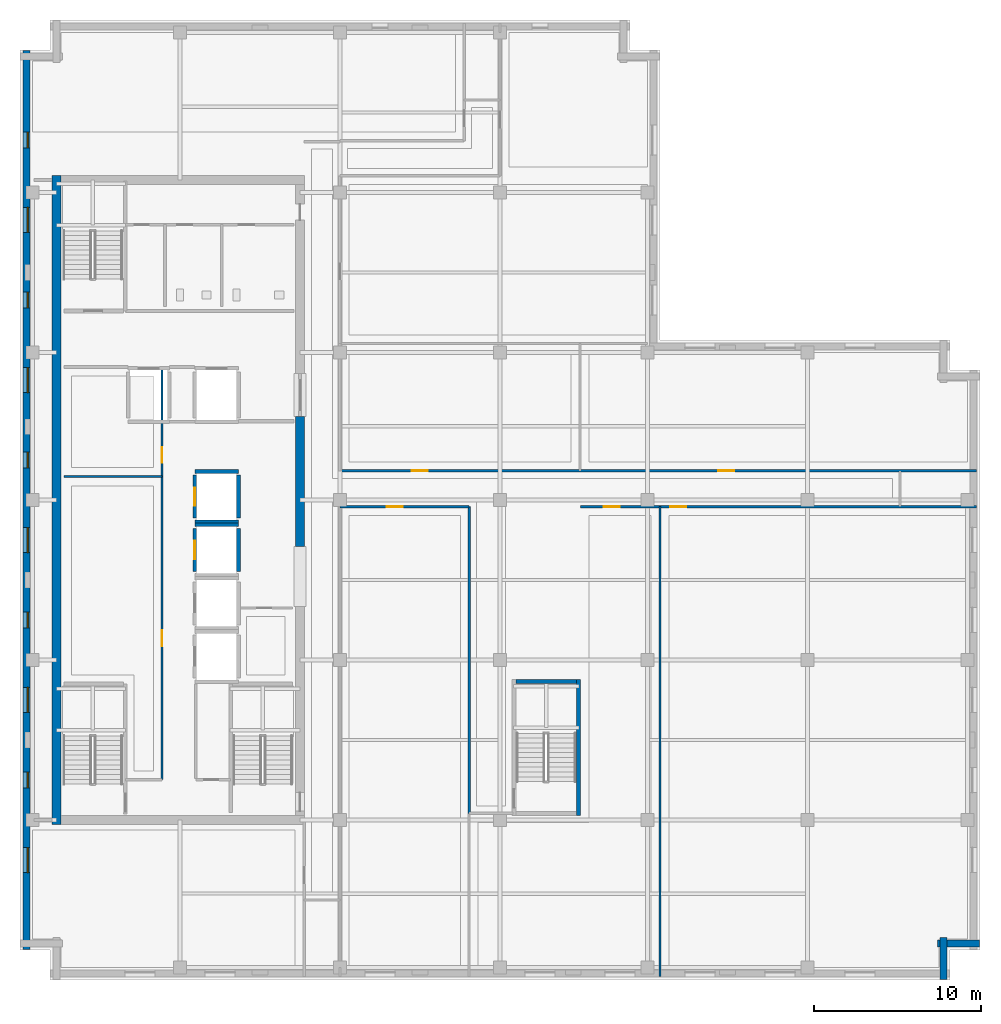
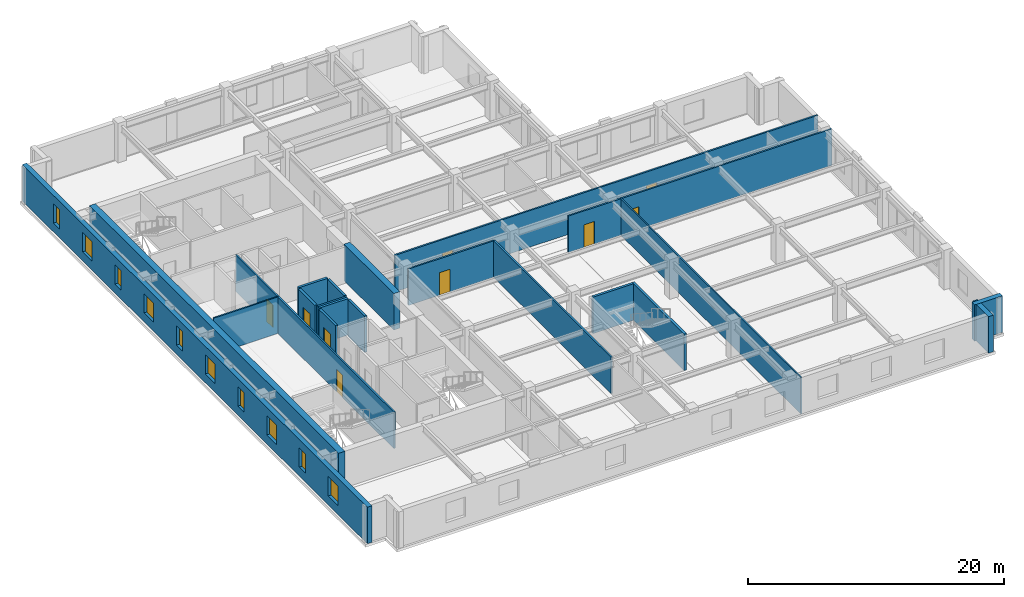
# One storey, part 4 of 11: 21 walls, 10 windows, 9 doors, 19 openings.
"""IFC4 building model written with IfcOpenShell, lengths in metres."""

from ifc_helpers import new_model, si_unit, direction, frame, frame_2d, origin, place, context, subcontext, project, spatial, rectangle, extrude, material, layer, layer_set, type_object, element, fill, save


model = new_model("IFC4")

# Units and contexts
model_context = context("Model", 3, precision=1e-05, world=origin(), true_north=direction((0.0, 1.0)))
body_context = subcontext(model_context, "Body", "Model", "MODEL_VIEW")
ifc_project = project(units=[si_unit("LENGTHUNIT", "METRE"), si_unit("AREAUNIT", "SQUARE_METRE"), si_unit("VOLUMEUNIT", "CUBIC_METRE"), si_unit("PLANEANGLEUNIT", "RADIAN"), si_unit("MASSUNIT", "GRAM", prefix="KILO")], contexts=[model_context])

# Site, building, storey
site_placement = place(None, origin())
site = spatial("IfcSite", under=ifc_project, at=site_placement, CompositionType="ELEMENT")
building_placement = place(site_placement, origin())
building = spatial("IfcBuilding", under=site, at=building_placement, Name="Norrvale University Quadrangle", CompositionType="ELEMENT")
storey_placement = place(building_placement, frame((0.0, 0.0, 252.199951171875)))
storey = spatial("IfcBuildingStorey", under=building, at=storey_placement, Name="L64", CompositionType="ELEMENT", Elevation=252.199951171875)

# Walls
ifc_material_1 = material(Name="Buff Norman Clay Brick Masonry", Category="masonry")
ifc_layer_1 = layer(ifc_material_1, 0.419921875, Name="Buff Norman Clay Brick Masonry")
ifc_layer_set_1 = layer_set([ifc_layer_1], Name="Buff Norman Clay Brick Masonry")
wall_type_1 = type_object("IfcWallType", Name="Wall Buff Brick 420", PredefinedType="SOLIDWALL", material=ifc_layer_set_1)
for number, where, z_axis, x_axis, name in (
    (1, (55.409912109375, 0.0400390625, 0.0), (0.0, 0.0, 1.0), (0.0, 1.0, 0.0), "Exterior Brick Facade Wall L64-02.1"),
    (2, (55.06005859375, 2.18994140625, 0.0), (0.0, 0.0, 1.0), (1.0, 0.0, 0.0), "Exterior Brick Facade Wall L64-03.1"),
):
    element("IfcWall", number, at=place(storey_placement, frame(where, z_axis=z_axis, x_axis=x_axis)), inside=storey, type_object=wall_type_1, Name=name, PredefinedType="SOLIDWALL", context=body_context, shape_type="SweptSolid", body=[
        extrude(rectangle(XDim=2.5, YDim=0.419921875, at=frame_2d((1.25, 0.0))), origin(), (0.0, 0.0, 1.0), 3.47998046875),
    ])

# Wall, openings, windows
wall_1_placement = place(storey_placement, frame((0.389892578125, 55.760009765625, 0.0), z_axis=(0.0, 0.0, 1.0), x_axis=(0.0, -1.0, 0.0)))
wall_1 = element("IfcWall", 3, at=wall_1_placement, inside=storey, type_object=wall_type_1, Name="Exterior Brick Facade Wall L64-14.1", PredefinedType="SOLIDWALL", context=body_context, shape_type="SweptSolid", body=[
    extrude(rectangle(XDim=53.919921875, YDim=0.419921875, at=frame_2d((26.9599609375, 0.0))), origin(), (0.0, 0.0, 1.0), 3.47998046875),
])
opening_1_placement = place(wall_1_placement, frame((4.885009765625, 0.0, 0.85009765625)))
opening_1 = element("IfcOpeningElement", 4, at=opening_1_placement, cuts=wall_1, Name="Opening W04", PredefinedType="OPENING", context=body_context, shape_type="SweptSolid", body=[
    extrude(rectangle(XDim=0.949951171875, YDim=1.85009765625, at=frame_2d((0.47509765625, 0.925048828125))), frame((0.0, 0.221923828125, 0.0), z_axis=(0.0, -1.0, 0.0), x_axis=(1.0, 0.0, 0.0)), (0.0, 0.0, 1.0), 0.44384765625),
])
opening_2_placement = place(wall_1_placement, frame((9.409912109375, 0.0, 0.85009765625)))
opening_2 = element("IfcOpeningElement", 5, at=opening_2_placement, cuts=wall_1, Name="Opening W03", PredefinedType="OPENING", context=body_context, shape_type="SweptSolid", body=[
    extrude(rectangle(XDim=1.5, YDim=1.85009765625, at=frame_2d((0.75, 0.925048828125))), frame((0.0, 0.221923828125, 0.0), z_axis=(0.0, -1.0, 0.0), x_axis=(1.0, 0.0, 0.0)), (0.0, 0.0, 1.0), 0.44384765625),
])
opening_3_placement = place(wall_1_placement, frame((14.485107421875, 0.0, 0.85009765625)))
opening_3 = element("IfcOpeningElement", 6, at=opening_3_placement, cuts=wall_1, Name="Opening W04", PredefinedType="OPENING", context=body_context, shape_type="SweptSolid", body=[
    extrude(rectangle(XDim=0.949951171875, YDim=1.85009765625, at=frame_2d((0.47509765625, 0.925048828125))), frame((0.0, 0.221923828125, 0.0), z_axis=(0.0, -1.0, 0.0), x_axis=(1.0, 0.0, 0.0)), (0.0, 0.0, 1.0), 0.44384765625),
])
opening_4_placement = place(wall_1_placement, frame((19.010009765625, 0.0, 0.85009765625)))
opening_4 = element("IfcOpeningElement", 7, at=opening_4_placement, cuts=wall_1, Name="Opening W03", PredefinedType="OPENING", context=body_context, shape_type="SweptSolid", body=[
    extrude(rectangle(XDim=1.5, YDim=1.85009765625, at=frame_2d((0.75, 0.925048828125))), frame((0.0, 0.221923828125, 0.0), z_axis=(0.0, -1.0, 0.0), x_axis=(1.0, 0.0, 0.0)), (0.0, 0.0, 1.0), 0.44384765625),
])
opening_5_placement = place(wall_1_placement, frame((24.0849609375, 0.0, 0.85009765625)))
opening_5 = element("IfcOpeningElement", 8, at=opening_5_placement, cuts=wall_1, Name="Opening W04", PredefinedType="OPENING", context=body_context, shape_type="SweptSolid", body=[
    extrude(rectangle(XDim=0.949951171875, YDim=1.85009765625, at=frame_2d((0.47509765625, 0.925048828125))), frame((0.0, 0.221923828125, 0.0), z_axis=(0.0, -1.0, 0.0), x_axis=(1.0, 0.0, 0.0)), (0.0, 0.0, 1.0), 0.44384765625),
])
opening_6_placement = place(wall_1_placement, frame((28.610107421875, 0.0, 0.85009765625)))
opening_6 = element("IfcOpeningElement", 9, at=opening_6_placement, cuts=wall_1, Name="Opening W03", PredefinedType="OPENING", context=body_context, shape_type="SweptSolid", body=[
    extrude(rectangle(XDim=1.5, YDim=1.85009765625, at=frame_2d((0.75, 0.925048828125))), frame((0.0, 0.221923828125, 0.0), z_axis=(0.0, -1.0, 0.0), x_axis=(1.0, 0.0, 0.0)), (0.0, 0.0, 1.0), 0.44384765625),
])
opening_7_placement = place(wall_1_placement, frame((33.68505859375, 0.0, 0.85009765625)))
opening_7 = element("IfcOpeningElement", 10, at=opening_7_placement, cuts=wall_1, Name="Opening W04", PredefinedType="OPENING", context=body_context, shape_type="SweptSolid", body=[
    extrude(rectangle(XDim=0.949951171875, YDim=1.85009765625, at=frame_2d((0.47509765625, 0.925048828125))), frame((0.0, 0.221923828125, 0.0), z_axis=(0.0, -1.0, 0.0), x_axis=(1.0, 0.0, 0.0)), (0.0, 0.0, 1.0), 0.44384765625),
])
opening_8_placement = place(wall_1_placement, frame((38.2099609375, 0.0, 0.85009765625)))
opening_8 = element("IfcOpeningElement", 11, at=opening_8_placement, cuts=wall_1, Name="Opening W03", PredefinedType="OPENING", context=body_context, shape_type="SweptSolid", body=[
    extrude(rectangle(XDim=1.5, YDim=1.85009765625, at=frame_2d((0.75, 0.925048828125))), frame((0.0, 0.221923828125, 0.0), z_axis=(0.0, -1.0, 0.0), x_axis=(1.0, 0.0, 0.0)), (0.0, 0.0, 1.0), 0.44384765625),
])
opening_9_placement = place(wall_1_placement, frame((43.284912109375, 0.0, 0.85009765625)))
opening_9 = element("IfcOpeningElement", 12, at=opening_9_placement, cuts=wall_1, Name="Opening W04", PredefinedType="OPENING", context=body_context, shape_type="SweptSolid", body=[
    extrude(rectangle(XDim=0.949951171875, YDim=1.85009765625, at=frame_2d((0.47509765625, 0.925048828125))), frame((0.0, 0.221923828125, 0.0), z_axis=(0.0, -1.0, 0.0), x_axis=(1.0, 0.0, 0.0)), (0.0, 0.0, 1.0), 0.44384765625),
])
opening_10_placement = place(wall_1_placement, frame((47.81005859375, 0.0, 0.85009765625)))
opening_10 = element("IfcOpeningElement", 13, at=opening_10_placement, cuts=wall_1, Name="Opening W03", PredefinedType="OPENING", context=body_context, shape_type="SweptSolid", body=[
    extrude(rectangle(XDim=1.5, YDim=1.85009765625, at=frame_2d((0.75, 0.925048828125))), frame((0.0, 0.221923828125, 0.0), z_axis=(0.0, -1.0, 0.0), x_axis=(1.0, 0.0, 0.0)), (0.0, 0.0, 1.0), 0.44384765625),
])
ifc_material_2 = material(Name="Triple Low-E Argon Glazing", Category="glass")
window_type_1 = type_object("IfcWindowType", Name="Window Narrow Pier 950x2300", PartitioningType="SINGLE_PANEL", PredefinedType="WINDOW", material=ifc_material_2)
window_1_placement = place(opening_1_placement, origin())
window_1 = element("IfcWindow", 14, at=window_1_placement, inside=storey, type_object=window_type_1, Name="Window Narrow Pier 950x2300 WIN-L64-E14-1-01", OverallHeight=1.85009765625, OverallWidth=0.949951171875, PartitioningType="SINGLE_PANEL", PredefinedType="WINDOW", context=body_context, shape_type="SweptSolid", body=[
    extrude(rectangle(XDim=0.949951171875, YDim=1.85009765625, at=frame_2d((0.47509765625, 0.925048828125))), frame((0.0, 0.110107421875, 0.0), z_axis=(0.0, -1.0, 0.0), x_axis=(1.0, 0.0, 0.0)), (0.0, 0.0, 1.0), 0.06005859375),
])
fill(opening_1, window_1)
window_2_placement = place(opening_3_placement, origin())
window_2 = element("IfcWindow", 15, at=window_2_placement, inside=storey, type_object=window_type_1, Name="Window Narrow Pier 950x2300 WIN-L64-E14-1-03", OverallHeight=1.85009765625, OverallWidth=0.949951171875, PartitioningType="SINGLE_PANEL", PredefinedType="WINDOW", context=body_context, shape_type="SweptSolid", body=[
    extrude(rectangle(XDim=0.949951171875, YDim=1.85009765625, at=frame_2d((0.47509765625, 0.925048828125))), frame((0.0, 0.110107421875, 0.0), z_axis=(0.0, -1.0, 0.0), x_axis=(1.0, 0.0, 0.0)), (0.0, 0.0, 1.0), 0.06005859375),
])
fill(opening_3, window_2)
window_3_placement = place(opening_5_placement, origin())
window_3 = element("IfcWindow", 16, at=window_3_placement, inside=storey, type_object=window_type_1, Name="Window Narrow Pier 950x2300 WIN-L64-E14-1-05", OverallHeight=1.85009765625, OverallWidth=0.949951171875, PartitioningType="SINGLE_PANEL", PredefinedType="WINDOW", context=body_context, shape_type="SweptSolid", body=[
    extrude(rectangle(XDim=0.949951171875, YDim=1.85009765625, at=frame_2d((0.47509765625, 0.925048828125))), frame((0.0, 0.110107421875, 0.0), z_axis=(0.0, -1.0, 0.0), x_axis=(1.0, 0.0, 0.0)), (0.0, 0.0, 1.0), 0.06005859375),
])
fill(opening_5, window_3)
window_4_placement = place(opening_7_placement, origin())
window_4 = element("IfcWindow", 17, at=window_4_placement, inside=storey, type_object=window_type_1, Name="Window Narrow Pier 950x2300 WIN-L64-E14-1-07", OverallHeight=1.85009765625, OverallWidth=0.949951171875, PartitioningType="SINGLE_PANEL", PredefinedType="WINDOW", context=body_context, shape_type="SweptSolid", body=[
    extrude(rectangle(XDim=0.949951171875, YDim=1.85009765625, at=frame_2d((0.47509765625, 0.925048828125))), frame((0.0, 0.110107421875, 0.0), z_axis=(0.0, -1.0, 0.0), x_axis=(1.0, 0.0, 0.0)), (0.0, 0.0, 1.0), 0.06005859375),
])
fill(opening_7, window_4)
window_5_placement = place(opening_9_placement, origin())
window_5 = element("IfcWindow", 18, at=window_5_placement, inside=storey, type_object=window_type_1, Name="Window Narrow Pier 950x2300 WIN-L64-E14-1-09", OverallHeight=1.85009765625, OverallWidth=0.949951171875, PartitioningType="SINGLE_PANEL", PredefinedType="WINDOW", context=body_context, shape_type="SweptSolid", body=[
    extrude(rectangle(XDim=0.949951171875, YDim=1.85009765625, at=frame_2d((0.47509765625, 0.925048828125))), frame((0.0, 0.110107421875, 0.0), z_axis=(0.0, -1.0, 0.0), x_axis=(1.0, 0.0, 0.0)), (0.0, 0.0, 1.0), 0.06005859375),
])
fill(opening_9, window_5)
window_type_2 = type_object("IfcWindowType", Name="Window Studio 1500x2300", PartitioningType="DOUBLE_PANEL_VERTICAL", PredefinedType="WINDOW", material=ifc_material_2)
window_6_placement = place(opening_2_placement, origin())
window_6 = element("IfcWindow", 19, at=window_6_placement, inside=storey, type_object=window_type_2, Name="Window Studio 1500x2300 WIN-L64-E14-1-02", OverallHeight=1.85009765625, OverallWidth=1.5, PartitioningType="DOUBLE_PANEL_VERTICAL", PredefinedType="WINDOW", context=body_context, shape_type="SweptSolid", body=[
    extrude(rectangle(XDim=1.5, YDim=1.85009765625, at=frame_2d((0.75, 0.925048828125))), frame((0.0, 0.110107421875, 0.0), z_axis=(0.0, -1.0, 0.0), x_axis=(1.0, 0.0, 0.0)), (0.0, 0.0, 1.0), 0.06005859375),
])
fill(opening_2, window_6)
window_7_placement = place(opening_4_placement, origin())
window_7 = element("IfcWindow", 20, at=window_7_placement, inside=storey, type_object=window_type_2, Name="Window Studio 1500x2300 WIN-L64-E14-1-04", OverallHeight=1.85009765625, OverallWidth=1.5, PartitioningType="DOUBLE_PANEL_VERTICAL", PredefinedType="WINDOW", context=body_context, shape_type="SweptSolid", body=[
    extrude(rectangle(XDim=1.5, YDim=1.85009765625, at=frame_2d((0.75, 0.925048828125))), frame((0.0, 0.110107421875, 0.0), z_axis=(0.0, -1.0, 0.0), x_axis=(1.0, 0.0, 0.0)), (0.0, 0.0, 1.0), 0.06005859375),
])
fill(opening_4, window_7)
window_8_placement = place(opening_6_placement, origin())
window_8 = element("IfcWindow", 21, at=window_8_placement, inside=storey, type_object=window_type_2, Name="Window Studio 1500x2300 WIN-L64-E14-1-06", OverallHeight=1.85009765625, OverallWidth=1.5, PartitioningType="DOUBLE_PANEL_VERTICAL", PredefinedType="WINDOW", context=body_context, shape_type="SweptSolid", body=[
    extrude(rectangle(XDim=1.5, YDim=1.85009765625, at=frame_2d((0.75, 0.925048828125))), frame((0.0, 0.110107421875, 0.0), z_axis=(0.0, -1.0, 0.0), x_axis=(1.0, 0.0, 0.0)), (0.0, 0.0, 1.0), 0.06005859375),
])
fill(opening_6, window_8)
window_9_placement = place(opening_8_placement, origin())
window_9 = element("IfcWindow", 22, at=window_9_placement, inside=storey, type_object=window_type_2, Name="Window Studio 1500x2300 WIN-L64-E14-1-08", OverallHeight=1.85009765625, OverallWidth=1.5, PartitioningType="DOUBLE_PANEL_VERTICAL", PredefinedType="WINDOW", context=body_context, shape_type="SweptSolid", body=[
    extrude(rectangle(XDim=1.5, YDim=1.85009765625, at=frame_2d((0.75, 0.925048828125))), frame((0.0, 0.110107421875, 0.0), z_axis=(0.0, -1.0, 0.0), x_axis=(1.0, 0.0, 0.0)), (0.0, 0.0, 1.0), 0.06005859375),
])
fill(opening_8, window_9)
window_10_placement = place(opening_10_placement, origin())
window_10 = element("IfcWindow", 23, at=window_10_placement, inside=storey, type_object=window_type_2, Name="Window Studio 1500x2300 WIN-L64-E14-1-10", OverallHeight=1.85009765625, OverallWidth=1.5, PartitioningType="DOUBLE_PANEL_VERTICAL", PredefinedType="WINDOW", context=body_context, shape_type="SweptSolid", body=[
    extrude(rectangle(XDim=1.5, YDim=1.85009765625, at=frame_2d((0.75, 0.925048828125))), frame((0.0, 0.110107421875, 0.0), z_axis=(0.0, -1.0, 0.0), x_axis=(1.0, 0.0, 0.0)), (0.0, 0.0, 1.0), 0.06005859375),
])
fill(opening_10, window_10)

# Walls
ifc_material_3 = material(Name="Concrete C60/75", Category="concrete")
ifc_layer_2 = layer(ifc_material_3, 0.550048828125, Name="Concrete C60/75")
ifc_layer_set_2 = layer_set([ifc_layer_2], Name="Concrete C60/75")
wall_type_2 = type_object("IfcWallType", Name="Wall Core 550", PredefinedType="SHEAR", material=ifc_layer_set_2)
wall_2_placement = place(storey_placement, frame((2.199951171875, 9.324951171875, 0.0), z_axis=(0.0, 0.0, 1.0), x_axis=(0.0, 1.0, 0.0)))
element("IfcWall", 24, at=wall_2_placement, inside=storey, type_object=wall_type_2, Name="Tower Core Shear Wall L64-W", PredefinedType="SHEAR", context=body_context, shape_type="SweptSolid", body=[
    extrude(rectangle(XDim=38.949951171875, YDim=0.550048828125, at=frame_2d((19.47509765625, 0.0))), origin(), (0.0, 0.0, 1.0), 3.47998046875),
])
wall_3_placement = place(storey_placement, frame((16.800048828125, 26.0, 0.0), z_axis=(0.0, 0.0, 1.0), x_axis=(0.0, 1.0, 0.0)))
element("IfcWall", 25, at=wall_3_placement, inside=storey, type_object=wall_type_2, Name="Tower Core Shear Wall L64-E2", PredefinedType="SHEAR", context=body_context, shape_type="SweptSolid", body=[
    extrude(rectangle(XDim=7.800048828125, YDim=0.550048828125, at=frame_2d((3.89990234375, 0.0))), origin(), (0.0, 0.0, 1.0), 3.47998046875),
])
ifc_material_4 = material(Name="Standard Academic Gypsum Partition")
ifc_layer_3 = layer(ifc_material_4, 0.125, Name="Standard Academic Gypsum Partition")
ifc_layer_set_3 = layer_set([ifc_layer_3], Name="Standard Academic Gypsum Partition")
wall_type_3 = type_object("IfcWallType", Name="Wall Gypsum Academic 125", PredefinedType="PARTITIONING", material=ifc_layer_set_3)
wall_4_placement = place(storey_placement, frame((2.64990234375, 30.199951171875, 0.0), z_axis=(0.0, 0.0, 1.0), x_axis=(1.0, 0.0, 0.0)))
element("IfcWall", 26, at=wall_4_placement, inside=storey, type_object=wall_type_3, Name="Interior Partition WL-L64-REC-M", PredefinedType="PARTITIONING", context=body_context, shape_type="SweptSolid", body=[
    extrude(rectangle(XDim=5.8701171875, YDim=0.125, at=frame_2d((2.93505859375, 0.0))), origin(), (0.0, 0.0, 1.0), 3.47998046875),
])
wall_5_placement = place(storey_placement, frame((38.39990234375, 0.219970703125, 0.0), z_axis=(0.0, 0.0, 1.0), x_axis=(0.0, 1.0, 0.0)))
element("IfcWall", 27, at=wall_5_placement, inside=storey, type_object=wall_type_3, Name="Interior Partition WL-L64-SEP2", PredefinedType="PARTITIONING", context=body_context, shape_type="SweptSolid", body=[
    extrude(rectangle(XDim=28.179931640625, YDim=0.125, at=frame_2d((14.08984375, 0.0))), origin(), (0.0, 0.0, 1.0), 3.47998046875),
])

# Wall, openings, doors
ifc_material_5 = material(Name="Fire-Rated Gypsum Stud Partition")
ifc_layer_4 = layer(ifc_material_5, 0.14990234375, Name="Fire-Rated Gypsum Stud Partition")
ifc_layer_set_4 = layer_set([ifc_layer_4], Name="Fire-Rated Gypsum Stud Partition")
wall_type_4 = type_object("IfcWallType", Name="Wall Gypsum Corridor 150", PredefinedType="PARTITIONING", material=ifc_layer_set_4)
wall_6_placement = place(storey_placement, frame((8.52001953125, 12.02001953125, 0.0), z_axis=(0.0, 0.0, 1.0), x_axis=(0.0, 1.0, 0.0)))
wall_6 = element("IfcWall", 28, at=wall_6_placement, inside=storey, type_object=wall_type_4, Name="Interior Partition WL-L64-REC-E", PredefinedType="PARTITIONING", context=body_context, shape_type="SweptSolid", body=[
    extrude(rectangle(XDim=24.760009765625, YDim=0.14990234375, at=frame_2d((12.3798828125, 0.0))), origin(), (0.0, 0.0, 1.0), 3.47998046875),
])
opening_11_placement = place(wall_6_placement, frame((8.0, 0.0, 0.0)))
opening_11 = element("IfcOpeningElement", 29, at=opening_11_placement, cuts=wall_6, Name="Opening D07", PredefinedType="OPENING", context=body_context, shape_type="SweptSolid", body=[
    extrude(rectangle(XDim=0.949951171875, YDim=2.14990234375, at=frame_2d((0.47509765625, 1.074951171875))), frame((0.0, 0.0869140625, 0.0), z_axis=(0.0, -1.0, 0.0), x_axis=(1.0, 0.0, 0.0)), (0.0, 0.0, 1.0), 0.173828125),
])
opening_12_placement = place(wall_6_placement, frame((19.0, 0.0, 0.0)))
opening_12 = element("IfcOpeningElement", 30, at=opening_12_placement, cuts=wall_6, Name="Opening D07", PredefinedType="OPENING", context=body_context, shape_type="SweptSolid", body=[
    extrude(rectangle(XDim=0.949951171875, YDim=2.14990234375, at=frame_2d((0.47509765625, 1.074951171875))), frame((0.0, 0.0869140625, 0.0), z_axis=(0.0, -1.0, 0.0), x_axis=(1.0, 0.0, 0.0)), (0.0, 0.0, 1.0), 0.173828125),
])
ifc_material_6 = material(Name="Solid-Core Maple Door", Category="wood")
door_type_1 = type_object("IfcDoorType", Name="Door Office 950x2150", OperationType="NOTDEFINED", PredefinedType="DOOR", material=ifc_material_6)
door_1_placement = place(opening_11_placement, origin())
door_1 = element("IfcDoor", 31, at=door_1_placement, inside=storey, type_object=door_type_1, Name="Door Office 950x2150 DR-L64-REC1", OperationType="SINGLE_SWING_LEFT", OverallHeight=2.14990234375, OverallWidth=0.949951171875, PredefinedType="DOOR", context=body_context, shape_type="SweptSolid", body=[
    extrude(rectangle(XDim=0.949951171875, YDim=2.14990234375, at=frame_2d((0.47509765625, 1.074951171875))), frame((0.0, 0.02490234375, 0.0), z_axis=(0.0, -1.0, 0.0), x_axis=(1.0, 0.0, 0.0)), (0.0, 0.0, 1.0), 0.050048828125),
])
fill(opening_11, door_1)
door_2_placement = place(opening_12_placement, origin())
door_2 = element("IfcDoor", 32, at=door_2_placement, inside=storey, type_object=door_type_1, Name="Door Office 950x2150 DR-L64-REC2", OperationType="SINGLE_SWING_RIGHT", OverallHeight=2.14990234375, OverallWidth=0.949951171875, PredefinedType="DOOR", context=body_context, shape_type="SweptSolid", body=[
    extrude(rectangle(XDim=0.949951171875, YDim=2.14990234375, at=frame_2d((0.47509765625, 1.074951171875))), frame((0.0, 0.02490234375, 0.0), z_axis=(0.0, -1.0, 0.0), x_axis=(1.0, 0.0, 0.0)), (0.0, 0.0, 1.0), 0.050048828125),
])
fill(opening_12, door_2)

# Wall, opening, door
wall_7_placement = place(storey_placement, frame((19.199951171875, 28.39990234375, 0.0), z_axis=(0.0, 0.0, 1.0), x_axis=(1.0, 0.0, 0.0)))
wall_7 = element("IfcWall", 33, at=wall_7_placement, inside=storey, type_object=wall_type_4, Name="Interior Partition WL-L64-SEW1", PredefinedType="PARTITIONING", context=body_context, shape_type="SweptSolid", body=[
    extrude(rectangle(XDim=7.75, YDim=0.14990234375, at=frame_2d((3.875, 0.0))), origin(), (0.0, 0.0, 1.0), 3.47998046875),
])
opening_13_placement = place(wall_7_placement, frame((2.800048828125, 0.0, 0.0)))
opening_13 = element("IfcOpeningElement", 34, at=opening_13_placement, cuts=wall_7, Name="Opening D07", PredefinedType="OPENING", context=body_context, shape_type="SweptSolid", body=[
    extrude(rectangle(XDim=0.949951171875, YDim=2.14990234375, at=frame_2d((0.47509765625, 1.074951171875))), frame((0.0, 0.0869140625, 0.0), z_axis=(0.0, -1.0, 0.0), x_axis=(1.0, 0.0, 0.0)), (0.0, 0.0, 1.0), 0.173828125),
])
door_3_placement = place(opening_13_placement, origin())
door_3 = element("IfcDoor", 35, at=door_3_placement, inside=storey, type_object=door_type_1, Name="Door Office 950x2150 DR-L64-SE1", OperationType="SINGLE_SWING_LEFT", OverallHeight=2.14990234375, OverallWidth=0.949951171875, PredefinedType="DOOR", context=body_context, shape_type="SweptSolid", body=[
    extrude(rectangle(XDim=0.949951171875, YDim=2.14990234375, at=frame_2d((0.47509765625, 1.074951171875))), frame((0.0, 0.02490234375, 0.0), z_axis=(0.0, -1.0, 0.0), x_axis=(1.0, 0.0, 0.0)), (0.0, 0.0, 1.0), 0.050048828125),
])
fill(opening_13, door_3)

# Wall
wall_8_placement = place(storey_placement, frame((26.949951171875, 10.0, 0.0), z_axis=(0.0, 0.0, 1.0), x_axis=(0.0, 1.0, 0.0)))
element("IfcWall", 36, at=wall_8_placement, inside=storey, type_object=wall_type_4, Name="Interior Partition WL-L64-SEP1B", PredefinedType="PARTITIONING", context=body_context, shape_type="SweptSolid", body=[
    extrude(rectangle(XDim=18.39990234375, YDim=0.14990234375, at=frame_2d((9.199951171875, 0.0))), origin(), (0.0, 0.0, 1.0), 3.47998046875),
])

# Wall, openings, doors
wall_9_placement = place(storey_placement, frame((33.6201171875, 28.39990234375, 0.0), z_axis=(0.0, 0.0, 1.0), x_axis=(1.0, 0.0, 0.0)))
wall_9 = element("IfcWall", 37, at=wall_9_placement, inside=storey, type_object=wall_type_4, Name="Interior Partition WL-L64-SEW2", PredefinedType="PARTITIONING", context=body_context, shape_type="SweptSolid", body=[
    extrude(rectangle(XDim=23.759765625, YDim=0.14990234375, at=frame_2d((11.8798828125, 0.0))), origin(), (0.0, 0.0, 1.0), 3.47998046875),
])
opening_14_placement = place(wall_9_placement, frame((1.39990234375, 0.0, 0.0)))
opening_14 = element("IfcOpeningElement", 38, at=opening_14_placement, cuts=wall_9, Name="Opening D07", PredefinedType="OPENING", context=body_context, shape_type="SweptSolid", body=[
    extrude(rectangle(XDim=0.949951171875, YDim=2.14990234375, at=frame_2d((0.47509765625, 1.074951171875))), frame((0.0, 0.0869140625, 0.0), z_axis=(0.0, -1.0, 0.0), x_axis=(1.0, 0.0, 0.0)), (0.0, 0.0, 1.0), 0.173828125),
])
opening_15_placement = place(wall_9_placement, frame((5.39990234375, 0.0, 0.0)))
opening_15 = element("IfcOpeningElement", 39, at=opening_15_placement, cuts=wall_9, Name="Opening D07", PredefinedType="OPENING", context=body_context, shape_type="SweptSolid", body=[
    extrude(rectangle(XDim=0.949951171875, YDim=2.14990234375, at=frame_2d((0.47509765625, 1.074951171875))), frame((0.0, 0.0869140625, 0.0), z_axis=(0.0, -1.0, 0.0), x_axis=(1.0, 0.0, 0.0)), (0.0, 0.0, 1.0), 0.173828125),
])
door_4_placement = place(opening_14_placement, origin())
door_4 = element("IfcDoor", 40, at=door_4_placement, inside=storey, type_object=door_type_1, Name="Door Office 950x2150 DR-L64-SE2", OperationType="SINGLE_SWING_RIGHT", OverallHeight=2.14990234375, OverallWidth=0.949951171875, PredefinedType="DOOR", context=body_context, shape_type="SweptSolid", body=[
    extrude(rectangle(XDim=0.949951171875, YDim=2.14990234375, at=frame_2d((0.47509765625, 1.074951171875))), frame((0.0, 0.02490234375, 0.0), z_axis=(0.0, -1.0, 0.0), x_axis=(1.0, 0.0, 0.0)), (0.0, 0.0, 1.0), 0.050048828125),
])
fill(opening_14, door_4)
door_5_placement = place(opening_15_placement, origin())
door_5 = element("IfcDoor", 41, at=door_5_placement, inside=storey, type_object=door_type_1, Name="Door Office 950x2150 DR-L64-SE3", OperationType="SINGLE_SWING_LEFT", OverallHeight=2.14990234375, OverallWidth=0.949951171875, PredefinedType="DOOR", context=body_context, shape_type="SweptSolid", body=[
    extrude(rectangle(XDim=0.949951171875, YDim=2.14990234375, at=frame_2d((0.47509765625, 1.074951171875))), frame((0.0, 0.02490234375, 0.0), z_axis=(0.0, -1.0, 0.0), x_axis=(1.0, 0.0, 0.0)), (0.0, 0.0, 1.0), 0.050048828125),
])
fill(opening_15, door_5)

wall_10_placement = place(storey_placement, frame((19.199951171875, 30.550048828125, 0.0), z_axis=(0.0, 0.0, 1.0), x_axis=(1.0, 0.0, 0.0)))
wall_10 = element("IfcWall", 42, at=wall_10_placement, inside=storey, type_object=wall_type_4, Name="Interior Partition WL-L64-MECW", PredefinedType="PARTITIONING", context=body_context, shape_type="SweptSolid", body=[
    extrude(rectangle(XDim=38.179931640625, YDim=0.14990234375, at=frame_2d((19.08984375, 0.0))), origin(), (0.0, 0.0, 1.0), 3.47998046875),
])
opening_16_placement = place(wall_10_placement, frame((4.300048828125, 0.0, 0.0)))
opening_16 = element("IfcOpeningElement", 43, at=opening_16_placement, cuts=wall_10, Name="Opening D07", PredefinedType="OPENING", context=body_context, shape_type="SweptSolid", body=[
    extrude(rectangle(XDim=0.949951171875, YDim=2.14990234375, at=frame_2d((0.47509765625, 1.074951171875))), frame((0.0, 0.0869140625, 0.0), z_axis=(0.0, -1.0, 0.0), x_axis=(1.0, 0.0, 0.0)), (0.0, 0.0, 1.0), 0.173828125),
])
opening_17_placement = place(wall_10_placement, frame((22.699951171875, 0.0, 0.0)))
opening_17 = element("IfcOpeningElement", 44, at=opening_17_placement, cuts=wall_10, Name="Opening D07", PredefinedType="OPENING", context=body_context, shape_type="SweptSolid", body=[
    extrude(rectangle(XDim=0.949951171875, YDim=2.14990234375, at=frame_2d((0.47509765625, 1.074951171875))), frame((0.0, 0.0869140625, 0.0), z_axis=(0.0, -1.0, 0.0), x_axis=(1.0, 0.0, 0.0)), (0.0, 0.0, 1.0), 0.173828125),
])
door_6_placement = place(opening_16_placement, origin())
door_6 = element("IfcDoor", 45, at=door_6_placement, inside=storey, type_object=door_type_1, Name="Door Office 950x2150 DR-L64-ME01", OperationType="SINGLE_SWING_LEFT", OverallHeight=2.14990234375, OverallWidth=0.949951171875, PredefinedType="DOOR", context=body_context, shape_type="SweptSolid", body=[
    extrude(rectangle(XDim=0.949951171875, YDim=2.14990234375, at=frame_2d((0.47509765625, 1.074951171875))), frame((0.0, 0.02490234375, 0.0), z_axis=(0.0, -1.0, 0.0), x_axis=(1.0, 0.0, 0.0)), (0.0, 0.0, 1.0), 0.050048828125),
])
fill(opening_16, door_6)
door_7_placement = place(opening_17_placement, origin())
door_7 = element("IfcDoor", 46, at=door_7_placement, inside=storey, type_object=door_type_1, Name="Door Office 950x2150 DR-L64-ME02", OperationType="SINGLE_SWING_RIGHT", OverallHeight=2.14990234375, OverallWidth=0.949951171875, PredefinedType="DOOR", context=body_context, shape_type="SweptSolid", body=[
    extrude(rectangle(XDim=0.949951171875, YDim=2.14990234375, at=frame_2d((0.47509765625, 1.074951171875))), frame((0.0, 0.02490234375, 0.0), z_axis=(0.0, -1.0, 0.0), x_axis=(1.0, 0.0, 0.0)), (0.0, 0.0, 1.0), 0.050048828125),
])
fill(opening_17, door_7)

# Walls
ifc_material_7 = material(Name="Concrete Blockwork 20 MPa Fire Shaft", Category="masonry")
ifc_layer_5 = layer(ifc_material_7, 0.219970703125, Name="Concrete Blockwork 20 MPa Fire Shaft")
ifc_layer_set_5 = layer_set([ifc_layer_5], Name="Concrete Blockwork 20 MPa Fire Shaft")
wall_type_5 = type_object("IfcWallType", Name="Wall Shaft 220", PredefinedType="SOLIDWALL", material=ifc_layer_set_5)
wall_11_placement = place(storey_placement, frame((33.510009765625, 9.8798828125, 0.0), z_axis=(0.0, 0.0, 1.0), x_axis=(0.0, 1.0, 0.0)))
element("IfcWall", 47, at=wall_11_placement, inside=storey, type_object=wall_type_5, Name="Stair ST-04 East Shaft Wall L64", PredefinedType="SOLIDWALL", context=body_context, shape_type="SweptSolid", body=[
    extrude(rectangle(XDim=8.14013671875, YDim=0.219970703125, at=frame_2d((4.070068359375, 0.0))), origin(), (0.0, 0.0, 1.0), 3.47998046875),
])
wall_12_placement = place(storey_placement, frame((29.75, 17.909912109375, 0.0), z_axis=(0.0, 0.0, 1.0), x_axis=(1.0, 0.0, 0.0)))
element("IfcWall", 48, at=wall_12_placement, inside=storey, type_object=wall_type_5, Name="Stair ST-04 North Shaft Wall L64", PredefinedType="SOLIDWALL", context=body_context, shape_type="SweptSolid", body=[
    extrude(rectangle(XDim=3.64990234375, YDim=0.219970703125, at=frame_2d((1.824951171875, 0.0))), origin(), (0.0, 0.0, 1.0), 3.47998046875),
])

# Wall, opening, door
wall_13_placement = place(storey_placement, frame((10.489990234375, 24.510009765625, 0.0), z_axis=(0.0, 0.0, 1.0), x_axis=(0.0, 1.0, 0.0)))
wall_13 = element("IfcWall", 49, at=wall_13_placement, inside=storey, type_object=wall_type_5, Name="Hoistway PL-07 West Wall L64", PredefinedType="SOLIDWALL", context=body_context, shape_type="SweptSolid", body=[
    extrude(rectangle(XDim=2.580078125, YDim=0.219970703125, at=frame_2d((1.2900390625, 0.0))), origin(), (0.0, 0.0, 1.0), 3.47998046875),
])
opening_18_placement = place(wall_13_placement, frame((0.739990234375, 0.0, 0.0)))
opening_18 = element("IfcOpeningElement", 50, at=opening_18_placement, cuts=wall_13, Name="Opening LD1", PredefinedType="OPENING", context=body_context, shape_type="SweptSolid", body=[
    extrude(rectangle(XDim=1.10009765625, YDim=2.199951171875, at=frame_2d((0.550048828125, 1.10009765625))), frame((0.0, 0.1220703125, 0.0), z_axis=(0.0, -1.0, 0.0), x_axis=(1.0, 0.0, 0.0)), (0.0, 0.0, 1.0), 0.243896484375),
])
ifc_material_8 = material(Name="Stainless Steel 316L Lift Landing Door", Category="steel")
door_type_2 = type_object("IfcDoorType", Name="Door Lift Landing 1100x2200", OperationType="DOUBLE_DOOR_SLIDING", PredefinedType="DOOR", material=ifc_material_8)
door_8_placement = place(opening_18_placement, origin())
door_8 = element("IfcDoor", 51, at=door_8_placement, inside=storey, type_object=door_type_2, Name="Elevator Landing Door DR-L64-PL-07", OperationType="DOUBLE_DOOR_SLIDING", OverallHeight=2.199951171875, OverallWidth=1.10009765625, PredefinedType="DOOR", context=body_context, shape_type="SweptSolid", body=[
    extrude(rectangle(XDim=1.10009765625, YDim=2.199951171875, at=frame_2d((0.550048828125, 1.10009765625))), frame((0.0, 0.02490234375, 0.0), z_axis=(0.0, -1.0, 0.0), x_axis=(1.0, 0.0, 0.0)), (0.0, 0.0, 1.0), 0.050048828125),
])
fill(opening_18, door_8)

# Walls
wall_14_placement = place(storey_placement, frame((13.110107421875, 24.510009765625, 0.0), z_axis=(0.0, 0.0, 1.0), x_axis=(0.0, 1.0, 0.0)))
element("IfcWall", 52, at=wall_14_placement, inside=storey, type_object=wall_type_5, Name="Hoistway PL-07 East Wall L64", PredefinedType="SOLIDWALL", context=body_context, shape_type="SweptSolid", body=[
    extrude(rectangle(XDim=2.580078125, YDim=0.219970703125, at=frame_2d((1.2900390625, 0.0))), origin(), (0.0, 0.0, 1.0), 3.47998046875),
])
wall_15_placement = place(storey_placement, frame((10.489990234375, 27.31005859375, 0.0), z_axis=(0.0, 0.0, 1.0), x_axis=(1.0, 0.0, 0.0)))
element("IfcWall", 53, at=wall_15_placement, inside=storey, type_object=wall_type_5, Name="Hoistway PL-07 North Wall L64", PredefinedType="SOLIDWALL", context=body_context, shape_type="SweptSolid", body=[
    extrude(rectangle(XDim=2.6201171875, YDim=0.219970703125, at=frame_2d((1.31005859375, 0.0))), origin(), (0.0, 0.0, 1.0), 3.47998046875),
])

# Wall, opening, door
wall_16_placement = place(storey_placement, frame((10.489990234375, 27.7099609375, 0.0), z_axis=(0.0, 0.0, 1.0), x_axis=(0.0, 1.0, 0.0)))
wall_16 = element("IfcWall", 54, at=wall_16_placement, inside=storey, type_object=wall_type_5, Name="Hoistway PL-08 West Wall L64", PredefinedType="SOLIDWALL", context=body_context, shape_type="SweptSolid", body=[
    extrude(rectangle(XDim=2.580078125, YDim=0.219970703125, at=frame_2d((1.2900390625, 0.0))), origin(), (0.0, 0.0, 1.0), 3.47998046875),
])
opening_19_placement = place(wall_16_placement, frame((0.739990234375, 0.0, 0.0)))
opening_19 = element("IfcOpeningElement", 55, at=opening_19_placement, cuts=wall_16, Name="Opening LD1", PredefinedType="OPENING", context=body_context, shape_type="SweptSolid", body=[
    extrude(rectangle(XDim=1.10009765625, YDim=2.199951171875, at=frame_2d((0.550048828125, 1.10009765625))), frame((0.0, 0.1220703125, 0.0), z_axis=(0.0, -1.0, 0.0), x_axis=(1.0, 0.0, 0.0)), (0.0, 0.0, 1.0), 0.243896484375),
])
door_9_placement = place(opening_19_placement, origin())
door_9 = element("IfcDoor", 56, at=door_9_placement, inside=storey, type_object=door_type_2, Name="Elevator Landing Door DR-L64-PL-08", OperationType="DOUBLE_DOOR_SLIDING", OverallHeight=2.199951171875, OverallWidth=1.10009765625, PredefinedType="DOOR", context=body_context, shape_type="SweptSolid", body=[
    extrude(rectangle(XDim=1.10009765625, YDim=2.199951171875, at=frame_2d((0.550048828125, 1.10009765625))), frame((0.0, 0.02490234375, 0.0), z_axis=(0.0, -1.0, 0.0), x_axis=(1.0, 0.0, 0.0)), (0.0, 0.0, 1.0), 0.050048828125),
])
fill(opening_19, door_9)

# Walls
wall_17_placement = place(storey_placement, frame((13.110107421875, 27.7099609375, 0.0), z_axis=(0.0, 0.0, 1.0), x_axis=(0.0, 1.0, 0.0)))
element("IfcWall", 57, at=wall_17_placement, inside=storey, type_object=wall_type_5, Name="Hoistway PL-08 East Wall L64", PredefinedType="SOLIDWALL", context=body_context, shape_type="SweptSolid", body=[
    extrude(rectangle(XDim=2.580078125, YDim=0.219970703125, at=frame_2d((1.2900390625, 0.0))), origin(), (0.0, 0.0, 1.0), 3.47998046875),
])
for number, where, z_axis, x_axis, name in (
    (58, (10.489990234375, 27.489990234375, 0.0), (0.0, 0.0, 1.0), (1.0, 0.0, 0.0), "Hoistway PL-08 South Wall L64"),
    (59, (10.489990234375, 30.510009765625, 0.0), (0.0, 0.0, 1.0), (1.0, 0.0, 0.0), "Hoistway PL-08 North Wall L64"),
):
    element("IfcWall", number, at=place(storey_placement, frame(where, z_axis=z_axis, x_axis=x_axis)), inside=storey, type_object=wall_type_5, Name=name, PredefinedType="SOLIDWALL", context=body_context, shape_type="SweptSolid", body=[
        extrude(rectangle(XDim=2.6201171875, YDim=0.219970703125, at=frame_2d((1.31005859375, 0.0))), origin(), (0.0, 0.0, 1.0), 3.47998046875),
    ])

save(model, "model.ifc")
